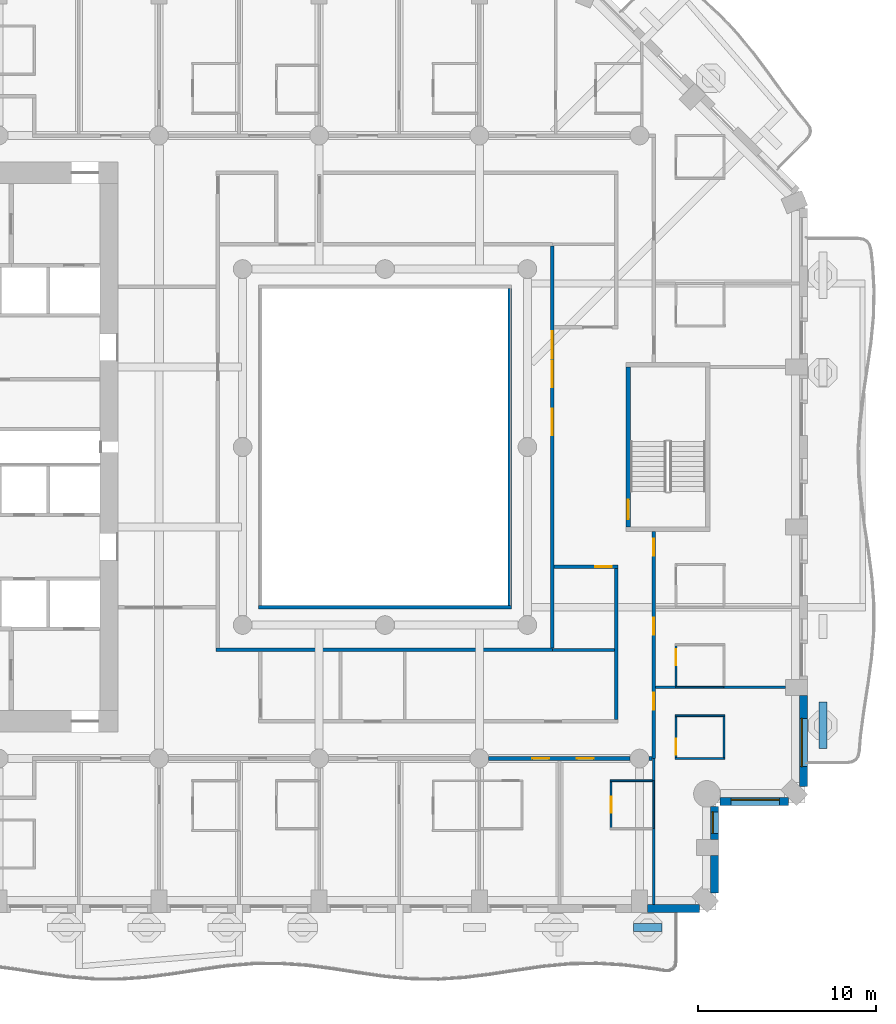
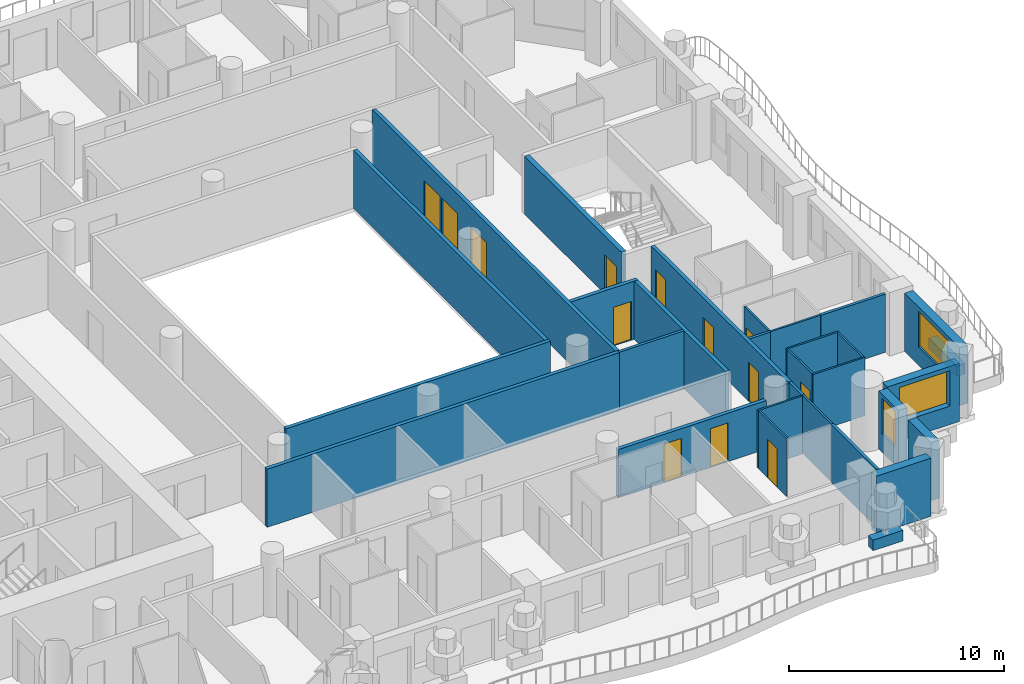
# One storey, part 6 of 20: 31 walls, 13 doors, 3 windows, 16 openings.
"""IFC4 building model written with IfcOpenShell, lengths in metres."""

from ifc_helpers import new_model, si_unit, direction, frame, frame_2d, origin, place, context, subcontext, project, spatial, rectangle, extrude, material, layer, layer_set, type_object, element, fill, save


model = new_model("IFC4")

# Units and contexts
model_context = context("Model", 3, precision=1e-05, world=origin(), true_north=direction((0.0, 1.0)))
body_context = subcontext(model_context, "Body", "Model", "MODEL_VIEW")
ifc_project = project(units=[si_unit("LENGTHUNIT", "METRE"), si_unit("AREAUNIT", "SQUARE_METRE"), si_unit("VOLUMEUNIT", "CUBIC_METRE"), si_unit("PLANEANGLEUNIT", "RADIAN"), si_unit("MASSUNIT", "GRAM", prefix="KILO")], contexts=[model_context])

# Site, building, storey
site_placement = place(None, origin())
site = spatial("IfcSite", under=ifc_project, at=site_placement, CompositionType="ELEMENT")
building_placement = place(site_placement, origin())
building = spatial("IfcBuilding", under=site, at=building_placement, Name="Cypress Arch Tower", CompositionType="ELEMENT")
storey_placement = place(building_placement, frame((0.0, 0.0, 109.5)))
storey = spatial("IfcBuildingStorey", under=building, at=storey_placement, Name="L22", CompositionType="ELEMENT", Elevation=109.5)

# Walls
ifc_material_1 = material(Name="Concrete C40/50, waterproofed", Category="concrete")
ifc_layer_1 = layer(ifc_material_1, 0.449951171875)
ifc_layer_set_1 = layer_set([ifc_layer_1], Name="Balcony planter wall PW450")
wall_type_1 = type_object("IfcWallType", Name="Balcony planter wall PW450", PredefinedType="SOLIDWALL", material=ifc_layer_set_1)
wall_1_placement = place(storey_placement, frame((14.949951171875, -27.0, 0.0), z_axis=(0.0, 0.0, 1.0), x_axis=(1.0, 0.0, 0.0)))
element("IfcWall", 1, at=wall_1_placement, inside=storey, type_object=wall_type_1, Name="Balcony planter wall L22-A03.7", PredefinedType="SOLIDWALL", context=body_context, shape_type="SweptSolid", body=[
    extrude(rectangle(XDim=1.60009765625, YDim=0.449951171875, at=frame_2d((0.800048828125, 0.0))), origin(), (0.0, 0.0, 1.0), 0.60009765625),
])
wall_2_placement = place(storey_placement, frame((25.60009765625, -16.949951171875, 0.0), z_axis=(0.0, 0.0, 1.0), x_axis=(0.0, 1.0, 0.0)))
element("IfcWall", 2, at=wall_2_placement, inside=storey, type_object=wall_type_1, Name="Balcony planter wall L22-A06.1", PredefinedType="SOLIDWALL", context=body_context, shape_type="SweptSolid", body=[
    extrude(rectangle(XDim=2.6142578125, YDim=0.449951171875, at=frame_2d((1.30712890625, 0.0))), origin(), (0.0, 0.0, 1.0), 0.60009765625),
])
ifc_material_2 = material(Name="Brick (red buff blend)", Category="masonry")
ifc_layer_2 = layer(ifc_material_2, 0.449951171875)
ifc_layer_set_2 = layer_set([ifc_layer_2], Name="Brick pier and spandrel wall BW450")
wall_type_2 = type_object("IfcWallType", Name="Brick pier and spandrel wall BW450", PredefinedType="SOLIDWALL", material=ifc_layer_set_2)
wall_3_placement = place(storey_placement, frame((15.75, -25.925048828125, 0.0), z_axis=(0.0, 0.0, 1.0), x_axis=(1.0, 0.0, 0.0)))
element("IfcWall", 3, at=wall_3_placement, inside=storey, type_object=wall_type_2, Name="Brick wall L22 A03.5", PredefinedType="SOLIDWALL", context=body_context, shape_type="SweptSolid", body=[
    extrude(rectangle(XDim=2.91357421875, YDim=0.449951171875, at=frame_2d((1.456787109375, 0.0))), origin(), (0.0, 0.0, 1.0), 3.300048828125),
])
wall_4_placement = place(storey_placement, frame((19.52490234375, -25.063720703125, 0.0), z_axis=(0.0, 0.0, 1.0), x_axis=(0.0, 1.0, 0.0)))
element("IfcWall", 4, at=wall_4_placement, inside=storey, type_object=wall_type_2, Name="Brick wall L22 A04.0", PredefinedType="SOLIDWALL", context=body_context, shape_type="SweptSolid", body=[
    extrude(rectangle(XDim=2.11376953125, YDim=0.449951171875, at=frame_2d((1.056884765625, 0.0))), origin(), (0.0, 0.0, 1.0), 3.300048828125),
])

# Wall, opening, window
wall_5_placement = place(storey_placement, frame((19.52490234375, -22.050048828125, 0.0), z_axis=(0.0, 0.0, 1.0), x_axis=(0.0, 1.0, 0.0)))
wall_5 = element("IfcWall", 5, at=wall_5_placement, inside=storey, type_object=wall_type_2, Name="Brick wall L22 A04.1", PredefinedType="SOLIDWALL", context=body_context, shape_type="SweptSolid", body=[
    extrude(rectangle(XDim=1.843017578125, YDim=0.449951171875, at=frame_2d((0.92138671875, 0.0))), origin(), (0.0, 0.0, 1.0), 3.300048828125),
])
opening_1_placement = place(wall_5_placement, frame((0.35009765625, 0.0, 1.050048828125)))
opening_1 = element("IfcOpeningElement", 6, at=opening_1_placement, cuts=wall_5, Name="Opening W120H", PredefinedType="OPENING", context=body_context, shape_type="SweptSolid", body=[
    extrude(rectangle(XDim=1.199951171875, YDim=2.0, at=frame_2d((0.60009765625, 1.0))), frame((0.0, 0.23486328125, 0.0), z_axis=(0.0, -1.0, 0.0), x_axis=(1.0, 0.0, 0.0)), (0.0, 0.0, 1.0), 0.469970703125),
])
ifc_material_3 = material(Name="Anodised aluminium, bronze finish, clear low-emissivity double glazing", Category="aluminium")
window_type_1 = type_object("IfcWindowType", Name="Window Hotel 1200x2000", PartitioningType="SINGLE_PANEL", PredefinedType="WINDOW", material=ifc_material_3)
window_1_placement = place(opening_1_placement, origin())
window_1 = element("IfcWindow", 7, at=window_1_placement, inside=storey, type_object=window_type_1, Name="Window L22 A04.1.1", OverallHeight=2.0, OverallWidth=1.199951171875, PartitioningType="SINGLE_PANEL", PredefinedType="WINDOW", context=body_context, shape_type="SweptSolid", body=[
    extrude(rectangle(XDim=1.199951171875, YDim=2.0, at=frame_2d((0.60009765625, 1.0))), frame((0.0, 0.135009765625, 0.0), z_axis=(0.0, -1.0, 0.0), x_axis=(1.0, 0.0, 0.0)), (0.0, 0.0, 1.0), 0.06005859375),
])
fill(opening_1, window_1)

wall_6_placement = place(storey_placement, frame((19.806884765625, -19.925048828125, 0.0), z_axis=(0.0, 0.0, 1.0), x_axis=(1.0, 0.0, 0.0)))
wall_6 = element("IfcWall", 8, at=wall_6_placement, inside=storey, type_object=wall_type_2, Name="Brick wall L22 A05.0", PredefinedType="SOLIDWALL", context=body_context, shape_type="SweptSolid", body=[
    extrude(rectangle(XDim=3.856689453125, YDim=0.449951171875, at=frame_2d((1.92822265625, 0.0))), origin(), (0.0, 0.0, 1.0), 3.300048828125),
])
opening_2_placement = place(wall_6_placement, frame((0.64306640625, 0.0, 1.050048828125)))
opening_2 = element("IfcOpeningElement", 9, at=opening_2_placement, cuts=wall_6, Name="Opening W270H", PredefinedType="OPENING", context=body_context, shape_type="SweptSolid", body=[
    extrude(rectangle(XDim=2.699951171875, YDim=2.0, at=frame_2d((1.35009765625, 1.0))), frame((0.0, 0.23486328125, 0.0), z_axis=(0.0, -1.0, 0.0), x_axis=(1.0, 0.0, 0.0)), (0.0, 0.0, 1.0), 0.469970703125),
])
ifc_material_4 = material(Name="Anodised aluminium, bronze finish, clear low-emissivity double glazing", Category="aluminium")
window_type_2 = type_object("IfcWindowType", Name="Window Hotel 2700x2000", PartitioningType="SINGLE_PANEL", PredefinedType="WINDOW", material=ifc_material_4)
window_2_placement = place(opening_2_placement, origin())
window_2 = element("IfcWindow", 10, at=window_2_placement, inside=storey, type_object=window_type_2, Name="Window L22 A05.0.1", OverallHeight=2.0, OverallWidth=2.699951171875, PartitioningType="SINGLE_PANEL", PredefinedType="WINDOW", context=body_context, shape_type="SweptSolid", body=[
    extrude(rectangle(XDim=2.699951171875, YDim=2.0, at=frame_2d((1.35009765625, 1.0))), frame((0.0, 0.135009765625, 0.0), z_axis=(0.0, -1.0, 0.0), x_axis=(1.0, 0.0, 0.0)), (0.0, 0.0, 1.0), 0.06005859375),
])
fill(opening_2, window_2)

wall_7_placement = place(storey_placement, frame((24.52490234375, -19.063720703125, 0.0), z_axis=(0.0, 0.0, 1.0), x_axis=(0.0, 1.0, 0.0)))
wall_7 = element("IfcWall", 11, at=wall_7_placement, inside=storey, type_object=wall_type_2, Name="Brick wall L22 A06.0", PredefinedType="SOLIDWALL", context=body_context, shape_type="SweptSolid", body=[
    extrude(rectangle(XDim=5.11376953125, YDim=0.449951171875, at=frame_2d((2.556884765625, 0.0))), origin(), (0.0, 0.0, 1.0), 3.300048828125),
])
opening_3_placement = place(wall_7_placement, frame((1.113525390625, 0.0, 1.050048828125)))
opening_3 = element("IfcOpeningElement", 12, at=opening_3_placement, cuts=wall_7, Name="Opening W270HD", PredefinedType="OPENING", context=body_context, shape_type="SweptSolid", body=[
    extrude(rectangle(XDim=2.699951171875, YDim=2.0, at=frame_2d((1.35009765625, 1.0))), frame((0.0, 0.23486328125, 0.0), z_axis=(0.0, -1.0, 0.0), x_axis=(1.0, 0.0, 0.0)), (0.0, 0.0, 1.0), 0.469970703125),
])
ifc_material_5 = material(Name="Anodised aluminium, bronze finish, laminated low-emissivity double glazing, large-missile impact rated", Category="aluminium")
window_type_3 = type_object("IfcWindowType", Name="Window Hotel 2700x2000 debris-rated", PartitioningType="SINGLE_PANEL", PredefinedType="WINDOW", material=ifc_material_5)
window_3_placement = place(opening_3_placement, origin())
window_3 = element("IfcWindow", 13, at=window_3_placement, inside=storey, type_object=window_type_3, Name="Window L22 A06.0.1", OverallHeight=2.0, OverallWidth=2.699951171875, PartitioningType="SINGLE_PANEL", PredefinedType="WINDOW", context=body_context, shape_type="SweptSolid", body=[
    extrude(rectangle(XDim=2.699951171875, YDim=2.0, at=frame_2d((1.35009765625, 1.0))), frame((0.0, 0.135009765625, 0.0), z_axis=(0.0, -1.0, 0.0), x_axis=(1.0, 0.0, 0.0)), (0.0, 0.0, 1.0), 0.06005859375),
])
fill(opening_3, window_3)

# Wall, openings, doors
ifc_material_6 = material(Name="Concrete blockwork, plastered, rated", Category="masonry")
ifc_layer_3 = layer(ifc_material_6, 0.199951171875)
ifc_layer_set_3 = layer_set([ifc_layer_3], Name="Corridor wall FW200")
wall_type_3 = type_object("IfcWallType", Name="Corridor wall FW200", PredefinedType="PARTITIONING", material=ifc_layer_set_3)
wall_8_placement = place(storey_placement, frame((6.824951171875, -17.5, 0.0), z_axis=(0.0, 0.0, 1.0), x_axis=(1.0, 0.0, 0.0)))
wall_8 = element("IfcWall", 14, at=wall_8_placement, inside=storey, type_object=wall_type_3, Name="Corridor wall", PredefinedType="PARTITIONING", context=body_context, shape_type="SweptSolid", body=[
    extrude(rectangle(XDim=7.949951171875, YDim=0.199951171875, at=frame_2d((3.97509765625, 0.0))), origin(), (0.0, 0.0, 1.0), 2.75),
])
opening_4_placement = place(wall_8_placement, frame((2.449951171875, 0.0, 0.0)))
opening_4 = element("IfcOpeningElement", 15, at=opening_4_placement, cuts=wall_8, Name="Opening D02", PredefinedType="OPENING", context=body_context, shape_type="SweptSolid", body=[
    extrude(rectangle(XDim=0.949951171875, YDim=2.199951171875, at=frame_2d((0.47509765625, 1.10009765625))), frame((0.0, 0.10986328125, 0.0), z_axis=(0.0, -1.0, 0.0), x_axis=(1.0, 0.0, 0.0)), (0.0, 0.0, 1.0), 0.219970703125),
])
opening_5_placement = place(wall_8_placement, frame((4.949951171875, 0.0, 0.0)))
opening_5 = element("IfcOpeningElement", 16, at=opening_5_placement, cuts=wall_8, Name="Opening D02", PredefinedType="OPENING", context=body_context, shape_type="SweptSolid", body=[
    extrude(rectangle(XDim=0.949951171875, YDim=2.199951171875, at=frame_2d((0.47509765625, 1.10009765625))), frame((0.0, 0.10986328125, 0.0), z_axis=(0.0, -1.0, 0.0), x_axis=(1.0, 0.0, 0.0)), (0.0, 0.0, 1.0), 0.219970703125),
])
ifc_material_7 = material(Name="Timber flush door, fire resisting", Category="wood")
door_type_1 = type_object("IfcDoorType", Name="Room door D02 950x2200", OperationType="SINGLE_SWING_LEFT", PredefinedType="DOOR", material=ifc_material_7)
door_1_placement = place(opening_4_placement, origin())
door_1 = element("IfcDoor", 17, at=door_1_placement, inside=storey, type_object=door_type_1, Name="Room door", OperationType="SINGLE_SWING_LEFT", OverallHeight=2.199951171875, OverallWidth=0.949951171875, PredefinedType="DOOR", context=body_context, shape_type="SweptSolid", body=[
    extrude(rectangle(XDim=0.949951171875, YDim=2.199951171875, at=frame_2d((0.47509765625, 1.10009765625))), frame((0.0, 0.02490234375, 0.0), z_axis=(0.0, -1.0, 0.0), x_axis=(1.0, 0.0, 0.0)), (0.0, 0.0, 1.0), 0.050048828125),
])
fill(opening_4, door_1)
door_2_placement = place(opening_5_placement, origin())
door_2 = element("IfcDoor", 18, at=door_2_placement, inside=storey, type_object=door_type_1, Name="Room door", OperationType="SINGLE_SWING_RIGHT", OverallHeight=2.199951171875, OverallWidth=0.949951171875, PredefinedType="DOOR", context=body_context, shape_type="SweptSolid", body=[
    extrude(rectangle(XDim=0.949951171875, YDim=2.199951171875, at=frame_2d((0.47509765625, 1.10009765625))), frame((0.0, 0.02490234375, 0.0), z_axis=(0.0, -1.0, 0.0), x_axis=(1.0, 0.0, 0.0)), (0.0, 0.0, 1.0), 0.050048828125),
])
fill(opening_5, door_2)

# Walls
wall_9_placement = place(storey_placement, frame((15.824951171875, -17.5, 0.0), z_axis=(0.0, 0.0, 1.0), x_axis=(1.0, 0.0, 0.0)))
element("IfcWall", 19, at=wall_9_placement, inside=storey, type_object=wall_type_3, Name="Corridor wall", PredefinedType="PARTITIONING", context=body_context, shape_type="SweptSolid", body=[
    extrude(rectangle(XDim=0.175048828125, YDim=0.199951171875, at=frame_2d((0.08740234375, 0.0))), origin(), (0.0, 0.0, 1.0), 3.300048828125),
])
wall_10_placement = place(storey_placement, frame((-8.5, -11.39990234375, 0.0), z_axis=(0.0, 0.0, 1.0), x_axis=(1.0, 0.0, 0.0)))
element("IfcWall", 20, at=wall_10_placement, inside=storey, type_object=wall_type_3, Name="Corridor wall", PredefinedType="PARTITIONING", context=body_context, shape_type="SweptSolid", body=[
    extrude(rectangle(XDim=18.89990234375, YDim=0.199951171875, at=frame_2d((9.449951171875, 0.0))), origin(), (0.0, 0.0, 1.0), 3.300048828125),
])
wall_11_placement = place(storey_placement, frame((-6.10009765625, -9.0, 0.0), z_axis=(0.0, 0.0, 1.0), x_axis=(1.0, 0.0, 0.0)))
element("IfcWall", 21, at=wall_11_placement, inside=storey, type_object=wall_type_3, Name="Corridor wall", PredefinedType="PARTITIONING", context=body_context, shape_type="SweptSolid", body=[
    extrude(rectangle(XDim=14.2001953125, YDim=0.199951171875, at=frame_2d((7.10009765625, 0.0))), origin(), (0.0, 0.0, 1.0), 3.300048828125),
])
wall_12_placement = place(storey_placement, frame((8.0, -8.89990234375, 0.0), z_axis=(0.0, 0.0, 1.0), x_axis=(0.0, 1.0, 0.0)))
element("IfcWall", 22, at=wall_12_placement, inside=storey, type_object=wall_type_3, Name="Corridor wall", PredefinedType="PARTITIONING", context=body_context, shape_type="SweptSolid", body=[
    extrude(rectangle(XDim=17.7998046875, YDim=0.199951171875, at=frame_2d((8.89990234375, 0.0))), origin(), (0.0, 0.0, 1.0), 3.300048828125),
])

# Wall, openings, doors
wall_13_placement = place(storey_placement, frame((10.39990234375, -11.300048828125, 0.0), z_axis=(0.0, 0.0, 1.0), x_axis=(0.0, 1.0, 0.0)))
wall_13 = element("IfcWall", 23, at=wall_13_placement, inside=storey, type_object=wall_type_3, Name="Corridor wall", PredefinedType="PARTITIONING", context=body_context, shape_type="SweptSolid", body=[
    extrude(rectangle(XDim=22.60009765625, YDim=0.199951171875, at=frame_2d((11.300048828125, 0.0))), origin(), (0.0, 0.0, 1.0), 3.300048828125),
])
opening_6_placement = place(wall_13_placement, frame((16.300048828125, 0.0, 0.0)))
opening_6 = element("IfcOpeningElement", 24, at=opening_6_placement, cuts=wall_13, Name="Opening D04", PredefinedType="OPENING", context=body_context, shape_type="SweptSolid", body=[
    extrude(rectangle(XDim=1.5, YDim=2.199951171875, at=frame_2d((0.75, 1.10009765625))), frame((0.0, 0.10986328125, 0.0), z_axis=(0.0, -1.0, 0.0), x_axis=(1.0, 0.0, 0.0)), (0.0, 0.0, 1.0), 0.219970703125),
])
opening_7_placement = place(wall_13_placement, frame((14.64990234375, 0.0, 0.0)))
opening_7 = element("IfcOpeningElement", 25, at=opening_7_placement, cuts=wall_13, Name="Opening D04", PredefinedType="OPENING", context=body_context, shape_type="SweptSolid", body=[
    extrude(rectangle(XDim=1.5, YDim=2.199951171875, at=frame_2d((0.75, 1.10009765625))), frame((0.0, 0.10986328125, 0.0), z_axis=(0.0, -1.0, 0.0), x_axis=(1.0, 0.0, 0.0)), (0.0, 0.0, 1.0), 0.219970703125),
])
opening_8_placement = place(wall_13_placement, frame((11.949951171875, 0.0, 0.0)))
opening_8 = element("IfcOpeningElement", 26, at=opening_8_placement, cuts=wall_13, Name="Opening D04", PredefinedType="OPENING", context=body_context, shape_type="SweptSolid", body=[
    extrude(rectangle(XDim=1.5, YDim=2.199951171875, at=frame_2d((0.75, 1.10009765625))), frame((0.0, 0.10986328125, 0.0), z_axis=(0.0, -1.0, 0.0), x_axis=(1.0, 0.0, 0.0)), (0.0, 0.0, 1.0), 0.219970703125),
])
ifc_material_8 = material(Name="Timber double door", Category="wood")
door_type_2 = type_object("IfcDoorType", Name="Double door D04 1500x2200", OperationType="DOUBLE_DOOR_SINGLE_SWING", PredefinedType="DOOR", material=ifc_material_8)
door_3_placement = place(opening_6_placement, origin())
door_3 = element("IfcDoor", 27, at=door_3_placement, inside=storey, type_object=door_type_2, Name="Double door", OperationType="DOUBLE_DOOR_SINGLE_SWING", OverallHeight=2.199951171875, OverallWidth=1.5, PredefinedType="DOOR", context=body_context, shape_type="SweptSolid", body=[
    extrude(rectangle(XDim=1.5, YDim=2.199951171875, at=frame_2d((0.75, 1.10009765625))), frame((0.0, 0.02490234375, 0.0), z_axis=(0.0, -1.0, 0.0), x_axis=(1.0, 0.0, 0.0)), (0.0, 0.0, 1.0), 0.050048828125),
])
fill(opening_6, door_3)
door_4_placement = place(opening_7_placement, origin())
door_4 = element("IfcDoor", 28, at=door_4_placement, inside=storey, type_object=door_type_2, Name="Double door", OperationType="DOUBLE_DOOR_SINGLE_SWING", OverallHeight=2.199951171875, OverallWidth=1.5, PredefinedType="DOOR", context=body_context, shape_type="SweptSolid", body=[
    extrude(rectangle(XDim=1.5, YDim=2.199951171875, at=frame_2d((0.75, 1.10009765625))), frame((0.0, 0.02490234375, 0.0), z_axis=(0.0, -1.0, 0.0), x_axis=(1.0, 0.0, 0.0)), (0.0, 0.0, 1.0), 0.050048828125),
])
fill(opening_7, door_4)
door_5_placement = place(opening_8_placement, origin())
door_5 = element("IfcDoor", 29, at=door_5_placement, inside=storey, type_object=door_type_2, Name="Double door", OperationType="DOUBLE_DOOR_SINGLE_SWING", OverallHeight=2.199951171875, OverallWidth=1.5, PredefinedType="DOOR", context=body_context, shape_type="SweptSolid", body=[
    extrude(rectangle(XDim=1.5, YDim=2.199951171875, at=frame_2d((0.75, 1.10009765625))), frame((0.0, 0.02490234375, 0.0), z_axis=(0.0, -1.0, 0.0), x_axis=(1.0, 0.0, 0.0)), (0.0, 0.0, 1.0), 0.050048828125),
])
fill(opening_8, door_5)

# Wall, opening, door
wall_14_placement = place(storey_placement, frame((10.5, -6.72509765625, 0.0), z_axis=(0.0, 0.0, 1.0), x_axis=(1.0, 0.0, 0.0)))
wall_14 = element("IfcWall", 30, at=wall_14_placement, inside=storey, type_object=wall_type_3, Name="Corridor wall", PredefinedType="PARTITIONING", context=body_context, shape_type="SweptSolid", body=[
    extrude(rectangle(XDim=3.60009765625, YDim=0.199951171875, at=frame_2d((1.800048828125, 0.0))), origin(), (0.0, 0.0, 1.0), 3.300048828125),
])
opening_9_placement = place(wall_14_placement, frame((2.300048828125, 0.0, 0.0)))
opening_9 = element("IfcOpeningElement", 31, at=opening_9_placement, cuts=wall_14, Name="Opening D02", PredefinedType="OPENING", context=body_context, shape_type="SweptSolid", body=[
    extrude(rectangle(XDim=0.949951171875, YDim=2.199951171875, at=frame_2d((0.47509765625, 1.10009765625))), frame((0.0, 0.10986328125, 0.0), z_axis=(0.0, -1.0, 0.0), x_axis=(1.0, 0.0, 0.0)), (0.0, 0.0, 1.0), 0.219970703125),
])
door_6_placement = place(opening_9_placement, origin())
door_6 = element("IfcDoor", 32, at=door_6_placement, inside=storey, type_object=door_type_1, Name="Room door", OperationType="SINGLE_SWING_LEFT", OverallHeight=2.199951171875, OverallWidth=0.949951171875, PredefinedType="DOOR", context=body_context, shape_type="SweptSolid", body=[
    extrude(rectangle(XDim=0.949951171875, YDim=2.199951171875, at=frame_2d((0.47509765625, 1.10009765625))), frame((0.0, 0.02490234375, 0.0), z_axis=(0.0, -1.0, 0.0), x_axis=(1.0, 0.0, 0.0)), (0.0, 0.0, 1.0), 0.050048828125),
])
fill(opening_9, door_6)

# Wall
wall_15_placement = place(storey_placement, frame((14.0, -15.300048828125, 0.0), z_axis=(0.0, 0.0, 1.0), x_axis=(0.0, 1.0, 0.0)))
element("IfcWall", 33, at=wall_15_placement, inside=storey, type_object=wall_type_3, Name="Corridor wall", PredefinedType="PARTITIONING", context=body_context, shape_type="SweptSolid", body=[
    extrude(rectangle(XDim=8.47509765625, YDim=0.199951171875, at=frame_2d((4.237548828125, 0.0))), origin(), (0.0, 0.0, 1.0), 3.300048828125),
])

# Wall, openings, doors
wall_16_placement = place(storey_placement, frame((16.10009765625, -17.5, 0.0), z_axis=(0.0, 0.0, 1.0), x_axis=(0.0, 1.0, 0.0)))
wall_16 = element("IfcWall", 34, at=wall_16_placement, inside=storey, type_object=wall_type_3, Name="Corridor wall", PredefinedType="PARTITIONING", context=body_context, shape_type="SweptSolid", body=[
    extrude(rectangle(XDim=12.75, YDim=0.199951171875, at=frame_2d((6.375, 0.0))), origin(), (0.0, 0.0, 1.0), 3.300048828125),
])
opening_10_placement = place(wall_16_placement, frame((2.75, 0.0, 0.0)))
opening_10 = element("IfcOpeningElement", 35, at=opening_10_placement, cuts=wall_16, Name="Opening D02", PredefinedType="OPENING", context=body_context, shape_type="SweptSolid", body=[
    extrude(rectangle(XDim=0.949951171875, YDim=2.199951171875, at=frame_2d((0.47509765625, 1.10009765625))), frame((0.0, 0.10986328125, 0.0), z_axis=(0.0, -1.0, 0.0), x_axis=(1.0, 0.0, 0.0)), (0.0, 0.0, 1.0), 0.219970703125),
])
opening_11_placement = place(wall_16_placement, frame((6.949951171875, 0.0, 0.0)))
opening_11 = element("IfcOpeningElement", 36, at=opening_11_placement, cuts=wall_16, Name="Opening D02", PredefinedType="OPENING", context=body_context, shape_type="SweptSolid", body=[
    extrude(rectangle(XDim=0.949951171875, YDim=2.199951171875, at=frame_2d((0.47509765625, 1.10009765625))), frame((0.0, 0.10986328125, 0.0), z_axis=(0.0, -1.0, 0.0), x_axis=(1.0, 0.0, 0.0)), (0.0, 0.0, 1.0), 0.219970703125),
])
opening_12_placement = place(wall_16_placement, frame((11.39990234375, 0.0, 0.0)))
opening_12 = element("IfcOpeningElement", 37, at=opening_12_placement, cuts=wall_16, Name="Opening D02", PredefinedType="OPENING", context=body_context, shape_type="SweptSolid", body=[
    extrude(rectangle(XDim=0.949951171875, YDim=2.199951171875, at=frame_2d((0.47509765625, 1.10009765625))), frame((0.0, 0.10986328125, 0.0), z_axis=(0.0, -1.0, 0.0), x_axis=(1.0, 0.0, 0.0)), (0.0, 0.0, 1.0), 0.219970703125),
])
door_7_placement = place(opening_10_placement, origin())
door_7 = element("IfcDoor", 38, at=door_7_placement, inside=storey, type_object=door_type_1, Name="Room door", OperationType="SINGLE_SWING_LEFT", OverallHeight=2.199951171875, OverallWidth=0.949951171875, PredefinedType="DOOR", context=body_context, shape_type="SweptSolid", body=[
    extrude(rectangle(XDim=0.949951171875, YDim=2.199951171875, at=frame_2d((0.47509765625, 1.10009765625))), frame((0.0, 0.02490234375, 0.0), z_axis=(0.0, -1.0, 0.0), x_axis=(1.0, 0.0, 0.0)), (0.0, 0.0, 1.0), 0.050048828125),
])
fill(opening_10, door_7)
door_8_placement = place(opening_11_placement, origin())
door_8 = element("IfcDoor", 39, at=door_8_placement, inside=storey, type_object=door_type_1, Name="Room door", OperationType="SINGLE_SWING_LEFT", OverallHeight=2.199951171875, OverallWidth=0.949951171875, PredefinedType="DOOR", context=body_context, shape_type="SweptSolid", body=[
    extrude(rectangle(XDim=0.949951171875, YDim=2.199951171875, at=frame_2d((0.47509765625, 1.10009765625))), frame((0.0, 0.02490234375, 0.0), z_axis=(0.0, -1.0, 0.0), x_axis=(1.0, 0.0, 0.0)), (0.0, 0.0, 1.0), 0.050048828125),
])
fill(opening_11, door_8)
door_9_placement = place(opening_12_placement, origin())
door_9 = element("IfcDoor", 40, at=door_9_placement, inside=storey, type_object=door_type_1, Name="Room door", OperationType="SINGLE_SWING_LEFT", OverallHeight=2.199951171875, OverallWidth=0.949951171875, PredefinedType="DOOR", context=body_context, shape_type="SweptSolid", body=[
    extrude(rectangle(XDim=0.949951171875, YDim=2.199951171875, at=frame_2d((0.47509765625, 1.10009765625))), frame((0.0, 0.02490234375, 0.0), z_axis=(0.0, -1.0, 0.0), x_axis=(1.0, 0.0, 0.0)), (0.0, 0.0, 1.0), 0.050048828125),
])
fill(opening_12, door_9)

# Walls
ifc_material_9 = material(Name="Blockwork, plastered both sides", Category="masonry")
ifc_layer_4 = layer(ifc_material_9, 0.14990234375)
ifc_layer_set_4 = layer_set([ifc_layer_4], Name="Partition PW150")
wall_type_4 = type_object("IfcWallType", Name="Partition PW150", PredefinedType="PARTITIONING", material=ifc_layer_set_4)
wall_17_placement = place(storey_placement, frame((10.39990234375, -11.39990234375, 0.0), z_axis=(0.0, 0.0, 1.0), x_axis=(1.0, 0.0, 0.0)))
element("IfcWall", 41, at=wall_17_placement, inside=storey, type_object=wall_type_4, Name="Partition", PredefinedType="PARTITIONING", context=body_context, shape_type="SweptSolid", body=[
    extrude(rectangle(XDim=3.5, YDim=0.14990234375, at=frame_2d((1.75, 0.0))), origin(), (0.0, 0.0, 1.0), 3.300048828125),
])
wall_18_placement = place(storey_placement, frame((16.10009765625, -25.699951171875, 0.0), z_axis=(0.0, 0.0, 1.0), x_axis=(0.0, 1.0, 0.0)))
element("IfcWall", 42, at=wall_18_placement, inside=storey, type_object=wall_type_4, Name="Partition", PredefinedType="PARTITIONING", context=body_context, shape_type="SweptSolid", body=[
    extrude(rectangle(XDim=4.27001953125, YDim=0.14990234375, at=frame_2d((2.135009765625, 0.0))), origin(), (0.0, 0.0, 1.0), 3.300048828125),
])
wall_19_placement = place(storey_placement, frame((16.10009765625, -18.72998046875, 0.0), z_axis=(0.0, 0.0, 1.0), x_axis=(0.0, 1.0, 0.0)))
element("IfcWall", 43, at=wall_19_placement, inside=storey, type_object=wall_type_4, Name="Partition", PredefinedType="PARTITIONING", context=body_context, shape_type="SweptSolid", body=[
    extrude(rectangle(XDim=1.22998046875, YDim=0.14990234375, at=frame_2d((0.614990234375, 0.0))), origin(), (0.0, 0.0, 1.0), 3.300048828125),
])
wall_20_placement = place(storey_placement, frame((16.199951171875, -13.5, 0.0), z_axis=(0.0, 0.0, 1.0), x_axis=(1.0, 0.0, 0.0)))
element("IfcWall", 44, at=wall_20_placement, inside=storey, type_object=wall_type_4, Name="Partition", PredefinedType="PARTITIONING", context=body_context, shape_type="SweptSolid", body=[
    extrude(rectangle(XDim=1.130126953125, YDim=0.14990234375, at=frame_2d((0.56494140625, 0.0))), origin(), (0.0, 0.0, 1.0), 3.300048828125),
])
wall_21_placement = place(storey_placement, frame((20.030029296875, -13.5, 0.0), z_axis=(0.0, 0.0, 1.0), x_axis=(1.0, 0.0, 0.0)))
element("IfcWall", 45, at=wall_21_placement, inside=storey, type_object=wall_type_4, Name="Partition", PredefinedType="PARTITIONING", context=body_context, shape_type="SweptSolid", body=[
    extrude(rectangle(XDim=3.469970703125, YDim=0.14990234375, at=frame_2d((1.73486328125, 0.0))), origin(), (0.0, 0.0, 1.0), 3.300048828125),
])

# Wall, opening, door
ifc_material_10 = material(Name="Concrete C50/60", Category="concrete")
ifc_layer_5 = layer(ifc_material_10, 0.25)
ifc_layer_set_5 = layer_set([ifc_layer_5], Name="Stair enclosure wall SW250")
wall_type_5 = type_object("IfcWallType", Name="Stair enclosure wall SW250", PredefinedType="SHEAR", material=ifc_layer_set_5)
wall_22_placement = place(storey_placement, frame((14.675048828125, -4.5, 0.0), z_axis=(0.0, 0.0, 1.0), x_axis=(0.0, 1.0, 0.0)))
wall_22 = element("IfcWall", 46, at=wall_22_placement, inside=storey, type_object=wall_type_5, Name="Stair enclosure wall", PredefinedType="SHEAR", context=body_context, shape_type="SweptSolid", body=[
    extrude(rectangle(XDim=9.0, YDim=0.25, at=frame_2d((4.5, 0.0))), origin(), (0.0, 0.0, 1.0), 3.300048828125),
])
opening_13_placement = place(wall_22_placement, frame((0.449951171875, 0.0, 0.0)))
opening_13 = element("IfcOpeningElement", 47, at=opening_13_placement, cuts=wall_22, Name="Opening D06", PredefinedType="OPENING", context=body_context, shape_type="SweptSolid", body=[
    extrude(rectangle(XDim=1.10009765625, YDim=2.199951171875, at=frame_2d((0.550048828125, 1.10009765625))), frame((0.0, 0.135009765625, 0.0), z_axis=(0.0, -1.0, 0.0), x_axis=(1.0, 0.0, 0.0)), (0.0, 0.0, 1.0), 0.27001953125),
])
ifc_material_11 = material(Name="Steel door, fire resisting, panic bar", Category="steel")
door_type_3 = type_object("IfcDoorType", Name="Stair door D06 1100x2200", OperationType="SINGLE_SWING_LEFT", PredefinedType="DOOR", material=ifc_material_11)
door_10_placement = place(opening_13_placement, origin())
door_10 = element("IfcDoor", 48, at=door_10_placement, inside=storey, type_object=door_type_3, Name="Stair door", OperationType="SINGLE_SWING_RIGHT", OverallHeight=2.199951171875, OverallWidth=1.10009765625, PredefinedType="DOOR", context=body_context, shape_type="SweptSolid", body=[
    extrude(rectangle(XDim=1.10009765625, YDim=2.199951171875, at=frame_2d((0.550048828125, 1.10009765625))), frame((0.0, 0.02490234375, 0.0), z_axis=(0.0, -1.0, 0.0), x_axis=(1.0, 0.0, 0.0)), (0.0, 0.0, 1.0), 0.050048828125),
])
fill(opening_13, door_10)

ifc_material_12 = material(Name="Moisture resistant board on steel studs, tiled", Category="steel")
ifc_layer_6 = layer(ifc_material_12, 0.10009765625)
ifc_layer_set_6 = layer_set([ifc_layer_6], Name="Wet wall PW100")
wall_type_6 = type_object("IfcWallType", Name="Wet wall PW100", PredefinedType="PARTITIONING", material=ifc_layer_set_6)
wall_23_placement = place(storey_placement, frame((13.699951171875, -21.39990234375, 0.0), z_axis=(0.0, 0.0, 1.0), x_axis=(0.0, 1.0, 0.0)))
wall_23 = element("IfcWall", 49, at=wall_23_placement, inside=storey, type_object=wall_type_6, Name="Wet wall", PredefinedType="PARTITIONING", context=body_context, shape_type="SweptSolid", body=[
    extrude(rectangle(XDim=2.599853515625, YDim=0.10009765625, at=frame_2d((1.2998046875, 0.0))), origin(), (0.0, 0.0, 1.0), 3.300048828125),
])
opening_14_placement = place(wall_23_placement, frame((0.85009765625, 0.0, 0.0)))
opening_14 = element("IfcOpeningElement", 50, at=opening_14_placement, cuts=wall_23, Name="Opening D03", PredefinedType="OPENING", context=body_context, shape_type="SweptSolid", body=[
    extrude(rectangle(XDim=0.89990234375, YDim=2.199951171875, at=frame_2d((0.449951171875, 1.10009765625))), frame((0.0, 0.06005859375, 0.0), z_axis=(0.0, -1.0, 0.0), x_axis=(1.0, 0.0, 0.0)), (0.0, 0.0, 1.0), 0.1201171875),
])
ifc_material_13 = material(Name="Timber flush door, moisture resistant", Category="wood")
door_type_4 = type_object("IfcDoorType", Name="Bathroom door D03 900x2200", OperationType="SINGLE_SWING_LEFT", PredefinedType="DOOR", material=ifc_material_13)
door_11_placement = place(opening_14_placement, origin())
door_11 = element("IfcDoor", 51, at=door_11_placement, inside=storey, type_object=door_type_4, Name="Bathroom door", OperationType="SINGLE_SWING_LEFT", OverallHeight=2.199951171875, OverallWidth=0.89990234375, PredefinedType="DOOR", context=body_context, shape_type="SweptSolid", body=[
    extrude(rectangle(XDim=0.89990234375, YDim=2.199951171875, at=frame_2d((0.449951171875, 1.10009765625))), frame((0.0, 0.02490234375, 0.0), z_axis=(0.0, -1.0, 0.0), x_axis=(1.0, 0.0, 0.0)), (0.0, 0.0, 1.0), 0.050048828125),
])
fill(opening_14, door_11)

# Walls
wall_24_placement = place(storey_placement, frame((13.64990234375, -18.75, 0.0), z_axis=(0.0, 0.0, 1.0), x_axis=(1.0, 0.0, 0.0)))
element("IfcWall", 52, at=wall_24_placement, inside=storey, type_object=wall_type_6, Name="Wet wall", PredefinedType="PARTITIONING", context=body_context, shape_type="SweptSolid", body=[
    extrude(rectangle(XDim=2.375, YDim=0.10009765625, at=frame_2d((1.1875, 0.0))), origin(), (0.0, 0.0, 1.0), 3.300048828125),
])
for number, where, z_axis, x_axis, name in (
    (53, (16.10009765625, -21.429931640625, 0.0), (0.0, 0.0, 1.0), (0.0, 1.0, 0.0), "Wet wall"),
    (54, (17.330078125, -13.5, 0.0), (0.0, 0.0, 1.0), (1.0, 0.0, 0.0), "Wet wall"),
):
    element("IfcWall", number, at=place(storey_placement, frame(where, z_axis=z_axis, x_axis=x_axis)), inside=storey, type_object=wall_type_6, Name=name, PredefinedType="PARTITIONING", context=body_context, shape_type="SweptSolid", body=[
        extrude(rectangle(XDim=2.699951171875, YDim=0.10009765625, at=frame_2d((1.35009765625, 0.0))), origin(), (0.0, 0.0, 1.0), 3.300048828125),
    ])

# Wall, opening, door
wall_25_placement = place(storey_placement, frame((17.35009765625, -17.449951171875, 0.0), z_axis=(0.0, 0.0, 1.0), x_axis=(0.0, 1.0, 0.0)))
wall_25 = element("IfcWall", 55, at=wall_25_placement, inside=storey, type_object=wall_type_6, Name="Wet wall", PredefinedType="PARTITIONING", context=body_context, shape_type="SweptSolid", body=[
    extrude(rectangle(XDim=2.300048828125, YDim=0.10009765625, at=frame_2d((1.14990234375, 0.0))), origin(), (0.0, 0.0, 1.0), 3.300048828125),
])
opening_15_placement = place(wall_25_placement, frame((0.14990234375, 0.0, 0.0)))
opening_15 = element("IfcOpeningElement", 56, at=opening_15_placement, cuts=wall_25, Name="Opening D03", PredefinedType="OPENING", context=body_context, shape_type="SweptSolid", body=[
    extrude(rectangle(XDim=0.89990234375, YDim=2.199951171875, at=frame_2d((0.449951171875, 1.10009765625))), frame((0.0, 0.06005859375, 0.0), z_axis=(0.0, -1.0, 0.0), x_axis=(1.0, 0.0, 0.0)), (0.0, 0.0, 1.0), 0.1201171875),
])
door_12_placement = place(opening_15_placement, origin())
door_12 = element("IfcDoor", 57, at=door_12_placement, inside=storey, type_object=door_type_4, Name="Bathroom door", OperationType="SINGLE_SWING_RIGHT", OverallHeight=2.199951171875, OverallWidth=0.89990234375, PredefinedType="DOOR", context=body_context, shape_type="SweptSolid", body=[
    extrude(rectangle(XDim=0.89990234375, YDim=2.199951171875, at=frame_2d((0.449951171875, 1.10009765625))), frame((0.0, 0.02490234375, 0.0), z_axis=(0.0, -1.0, 0.0), x_axis=(1.0, 0.0, 0.0)), (0.0, 0.0, 1.0), 0.050048828125),
])
fill(opening_15, door_12)

# Walls
for number, where, z_axis, x_axis, name in (
    (58, (17.300048828125, -17.5, 0.0), (0.0, 0.0, 1.0), (1.0, 0.0, 0.0), "Wet wall"),
    (59, (17.300048828125, -15.10009765625, 0.0), (0.0, 0.0, 1.0), (1.0, 0.0, 0.0), "Wet wall"),
):
    element("IfcWall", number, at=place(storey_placement, frame(where, z_axis=z_axis, x_axis=x_axis)), inside=storey, type_object=wall_type_6, Name=name, PredefinedType="PARTITIONING", context=body_context, shape_type="SweptSolid", body=[
        extrude(rectangle(XDim=2.800048828125, YDim=0.10009765625, at=frame_2d((1.39990234375, 0.0))), origin(), (0.0, 0.0, 1.0), 3.300048828125),
    ])

# Wall, opening, door
wall_26_placement = place(storey_placement, frame((17.35009765625, -13.449951171875, 0.0), z_axis=(0.0, 0.0, 1.0), x_axis=(0.0, 1.0, 0.0)))
wall_26 = element("IfcWall", 60, at=wall_26_placement, inside=storey, type_object=wall_type_6, Name="Wet wall", PredefinedType="PARTITIONING", context=body_context, shape_type="SweptSolid", body=[
    extrude(rectangle(XDim=2.2958984375, YDim=0.10009765625, at=frame_2d((1.14794921875, 0.0))), origin(), (0.0, 0.0, 1.0), 3.300048828125),
])
opening_16_placement = place(wall_26_placement, frame((1.199951171875, 0.0, 0.0)))
opening_16 = element("IfcOpeningElement", 61, at=opening_16_placement, cuts=wall_26, Name="Opening D03", PredefinedType="OPENING", context=body_context, shape_type="SweptSolid", body=[
    extrude(rectangle(XDim=0.89990234375, YDim=2.199951171875, at=frame_2d((0.449951171875, 1.10009765625))), frame((0.0, 0.06005859375, 0.0), z_axis=(0.0, -1.0, 0.0), x_axis=(1.0, 0.0, 0.0)), (0.0, 0.0, 1.0), 0.1201171875),
])
door_13_placement = place(opening_16_placement, origin())
door_13 = element("IfcDoor", 62, at=door_13_placement, inside=storey, type_object=door_type_4, Name="Bathroom door", OperationType="SINGLE_SWING_LEFT", OverallHeight=2.199951171875, OverallWidth=0.89990234375, PredefinedType="DOOR", context=body_context, shape_type="SweptSolid", body=[
    extrude(rectangle(XDim=0.89990234375, YDim=2.199951171875, at=frame_2d((0.449951171875, 1.10009765625))), frame((0.0, 0.02490234375, 0.0), z_axis=(0.0, -1.0, 0.0), x_axis=(1.0, 0.0, 0.0)), (0.0, 0.0, 1.0), 0.050048828125),
])
fill(opening_16, door_13)

# Wall
wall_27_placement = place(storey_placement, frame((20.050048828125, -17.449951171875, 0.0), z_axis=(0.0, 0.0, 1.0), x_axis=(0.0, 1.0, 0.0)))
element("IfcWall", 63, at=wall_27_placement, inside=storey, type_object=wall_type_6, Name="Wet wall", PredefinedType="PARTITIONING", context=body_context, shape_type="SweptSolid", body=[
    extrude(rectangle(XDim=2.300048828125, YDim=0.10009765625, at=frame_2d((1.14990234375, 0.0))), origin(), (0.0, 0.0, 1.0), 3.300048828125),
])

save(model, "model.ifc")
